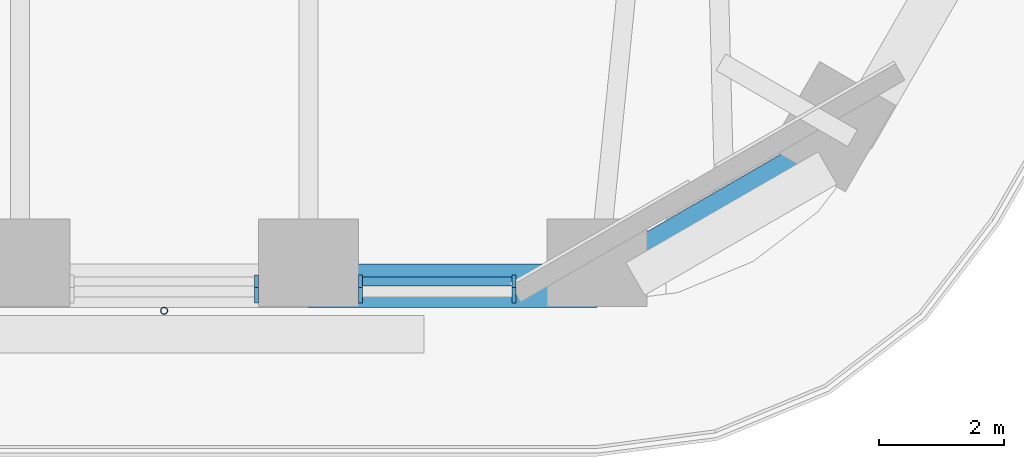
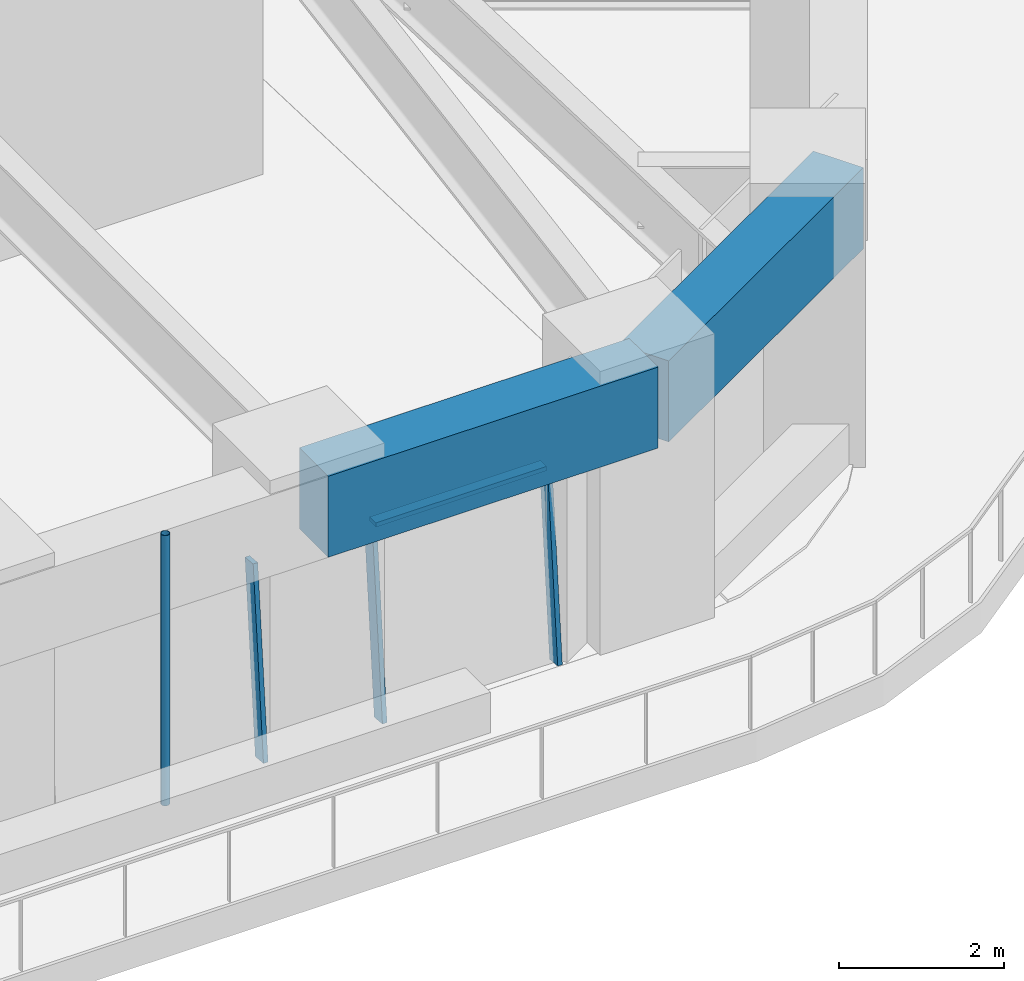
# One storey, part 4 of 20: 5 members, 2 beams, 2 elements without a shape of their own.
"""IFC4 building model written with IfcOpenShell, lengths in metres."""

import ifcopenshell
import ifcopenshell.guid

model = None  # the IFC model being written
_history = None  # IfcOwnerHistory: only IFC2X3 demands one
_inside = {}  # id of a spatial element -> (the spatial element, [elements in it])
_under = {}  # id of a project, library or spatial element -> (it, [spatial elements below it])
_declared = {}  # id of a project -> (the project, [libraries it declares])
_typed = {}  # id of a type object -> (the type object, [elements of that type])
_made_of = {}  # id of a material, layer set ... -> (it, [elements and type objects made of it])


def new_model(schema):
    """Start an empty IFC model of exactly this schema.

    Asked for "IFC4X3", IfcOpenShell would pick the latest addendum, in which some entities
    have other attributes; the version numbers below select the first issue.
    IFC2X3 requires an IfcOwnerHistory on every rooted entity: one is made here for all.
    """
    global model, _history
    if schema == "IFC4X3":
        model = ifcopenshell.file(schema_version=(4, 3, 0, 0))
    else:
        model = ifcopenshell.file(schema=schema)
    _inside.clear()
    _under.clear()
    _declared.clear()
    _typed.clear()
    _made_of.clear()
    _history = None
    if model.schema == "IFC2X3":
        org = make("IfcOrganization", Name="unknown")
        user = make(
            "IfcPersonAndOrganization",
            ThePerson=make("IfcPerson", FamilyName="unknown"),
            TheOrganization=org,
        )
        app = make(
            "IfcApplication",
            ApplicationDeveloper=org,
            Version="unknown",
            ApplicationFullName="unknown",
            ApplicationIdentifier="unknown",
        )
        _history = make(
            "IfcOwnerHistory",
            OwningUser=user,
            OwningApplication=app,
            ChangeAction="ADDED",
            CreationDate=0,
        )
    return model


def make(cls, **values):
    """One entity of the class cls with the attributes given. An attribute that is None is left unset."""
    return model.create_entity(
        cls, **{name: value for name, value in values.items() if value is not None}
    )


def rooted(cls, **values):
    """An entity with a GlobalId (a new one), such as an element, a storey or a relation."""
    return make(cls, GlobalId=ifcopenshell.guid.new(), OwnerHistory=_history, **values)


def si_unit(unit_type, name, prefix=None):
    """IfcSIUnit, for example si_unit("LENGTHUNIT", "METRE", prefix="MILLI")."""
    return make("IfcSIUnit", UnitType=unit_type, Prefix=prefix, Name=name)


def assignment(units):
    """IfcUnitAssignment: the units of a project."""
    return None if units is None else make("IfcUnitAssignment", Units=units)


def point(xyz):
    """IfcCartesianPoint."""
    return None if xyz is None else make("IfcCartesianPoint", Coordinates=xyz)


def direction(xyz):
    """IfcDirection."""
    return None if xyz is None else make("IfcDirection", DirectionRatios=xyz)


def frame(location, z_axis=None, x_axis=None):
    """IfcAxis2Placement3D, a coordinate frame: its origin and axes. An axis left out is left unset."""
    return make(
        "IfcAxis2Placement3D",
        Location=point(location),
        Axis=direction(z_axis),
        RefDirection=direction(x_axis),
    )


def frame_2d(location, x_axis=None):
    """IfcAxis2Placement2D, a coordinate frame in the plane: its origin and x axis."""
    return make(
        "IfcAxis2Placement2D", Location=point(location), RefDirection=direction(x_axis)
    )


def origin():
    """The frame at (0, 0, 0) with its axes left unset."""
    return frame((0.0, 0.0, 0.0))


def origin_2d():
    """The frame at (0, 0) in the plane with its x axis left unset."""
    return frame_2d((0.0, 0.0))


def place(relative_to, where):
    """IfcLocalPlacement: puts the frame where relative to a parent placement (None: the world)."""
    return make(
        "IfcLocalPlacement", PlacementRelTo=relative_to, RelativePlacement=where
    )


def context(
    kind, dimensions, precision=None, world=None, true_north=None, identifier=None
):
    """IfcGeometricRepresentationContext, for example the 3D "Model" context."""
    return make(
        "IfcGeometricRepresentationContext",
        ContextIdentifier=identifier,
        ContextType=kind,
        CoordinateSpaceDimension=dimensions,
        Precision=precision,
        WorldCoordinateSystem=world,
        TrueNorth=true_north,
    )


def subcontext(parent, identifier, kind, view, scale=None):
    """IfcGeometricRepresentationSubContext, for example "Body" below "Model"."""
    return make(
        "IfcGeometricRepresentationSubContext",
        ContextIdentifier=identifier,
        ContextType=kind,
        ParentContext=parent,
        TargetScale=scale,
        TargetView=view,
    )


def project(units=None, contexts=None):
    """IfcProject with its units and contexts."""
    return rooted(
        "IfcProject",
        Name="project",
        RepresentationContexts=contexts,
        UnitsInContext=assignment(units),
    )


def spatial(cls, under=None, at=None, **own):
    """A site, building, storey or space (cls), placed at a placement, below another one or the project."""
    s = rooted(cls, ObjectPlacement=at, **own)
    if under is not None:
        _under.setdefault(under.id(), (under, []))[1].append(s)
    return s


def profile(cls, at=None, kind="AREA", **sizes):
    """A parametric profile (cls). Its sizes go by their IFC names, for example OverallWidth=200.0."""
    return make(cls, ProfileType=kind, Position=at, **sizes)


def rectangle(**sizes):
    """IfcRectangleProfileDef."""
    return profile("IfcRectangleProfileDef", **sizes)


def hollow_circle(**sizes):
    """IfcCircleHollowProfileDef."""
    return profile("IfcCircleHollowProfileDef", **sizes)


def extrude(swept, where, along, depth):
    """IfcExtrudedAreaSolid: the profile swept, set in the frame where, extruded along a direction by depth."""
    return make(
        "IfcExtrudedAreaSolid",
        SweptArea=swept,
        Position=where,
        ExtrudedDirection=direction(along),
        Depth=depth,
    )


def shape(context_of_items, identifier, shape_type, items):
    """IfcShapeRepresentation: the items that make up one representation, for example the "Body"."""
    return make(
        "IfcShapeRepresentation",
        ContextOfItems=context_of_items,
        RepresentationIdentifier=identifier,
        RepresentationType=shape_type,
        Items=items,
    )


def material(Name=None, Category=None):
    """IfcMaterial."""
    return make("IfcMaterial", Name=Name, Category=Category)


def material_profile(
    of_material, cross_section, Name=None, Category=None, Priority=None
):
    """IfcMaterialProfile: a cross section and its material."""
    return make(
        "IfcMaterialProfile",
        Name=Name,
        Material=of_material,
        Profile=cross_section,
        Priority=Priority,
        Category=Category,
    )


def profile_set(profiles, Name=None, composite=None):
    """IfcMaterialProfileSet."""
    return make(
        "IfcMaterialProfileSet",
        Name=Name,
        MaterialProfiles=profiles,
        CompositeProfile=composite,
    )


def made_of(thing, what):
    """Note that an element or type object is made of a material, layer set ...; save() writes the relation."""
    if what is not None:
        _made_of.setdefault(what.id(), (what, []))[1].append(thing)
    return thing


def type_object(cls, material=None, **own):
    """A type object (cls), such as IfcWallType, which elements share."""
    return made_of(rooted(cls, **own), material)


def element(
    cls,
    number,
    at=None,
    inside=None,
    cuts=None,
    type_object=None,
    material=None,
    context=None,
    identifier="Body",
    shape_type=None,
    held_by="IfcProductDefinitionShape",
    body=None,
    shapes=None,
    **own,
):
    """One element of the class cls, such as IfcWall. Its Tag is "e" and its number.

    at: its placement. inside: the storey or other place that contains it. cuts: it is an
    opening in that element (IfcRelVoidsElement). A single representation is given by context,
    identifier, shape_type and body (its items); several are given by shapes. held_by: the class
    of the entity that holds the representations. save() writes the other relations.
    """
    e = rooted(cls, Tag="e%d" % number, ObjectPlacement=at, **own)
    if body is not None:
        shapes = [shape(context, identifier, shape_type, body)]
    if shapes is not None:
        e.Representation = make(held_by, Representations=shapes)
    if inside is not None:
        _inside.setdefault(inside.id(), (inside, []))[1].append(e)
    if cuts is not None:
        rooted(
            "IfcRelVoidsElement", RelatingBuildingElement=cuts, RelatedOpeningElement=e
        )
    if type_object is not None:
        _typed.setdefault(type_object.id(), (type_object, []))[1].append(e)
    return made_of(e, material)


def aggregate(whole, parts):
    """IfcRelAggregates: a whole, such as a stair, and the parts it consists of."""
    return rooted("IfcRelAggregates", RelatingObject=whole, RelatedObjects=parts)


def save(model, path):
    """Write the relations noted so far, then the file.

    IfcRelAggregates (storeys below a building ...), IfcRelContainedInSpatialStructure (elements
    in a storey), IfcRelDefinesByType, IfcRelAssociatesMaterial and IfcRelDeclares: one each for
    every whole, place, type object, material and project.
    """
    for whole, parts in _under.values():
        aggregate(whole, parts)
    for where, things in _inside.values():
        rooted(
            "IfcRelContainedInSpatialStructure",
            RelatedElements=things,
            RelatingStructure=where,
        )
    for kind, things in _typed.values():
        rooted("IfcRelDefinesByType", RelatedObjects=things, RelatingType=kind)
    for what, things in _made_of.values():
        rooted("IfcRelAssociatesMaterial", RelatedObjects=things, RelatingMaterial=what)
    for by, libraries in _declared.values():
        rooted("IfcRelDeclares", RelatingContext=by, RelatedDefinitions=libraries)
    model.write(path)


model = new_model("IFC4")

# Units and contexts
model_context = context("Model", 3, precision=1e-05, world=origin(), true_north=direction((0.0, 1.0)))
body_context = subcontext(model_context, "Body", "Model", "MODEL_VIEW")
ifc_project = project(units=[si_unit("LENGTHUNIT", "METRE"), si_unit("AREAUNIT", "SQUARE_METRE"), si_unit("VOLUMEUNIT", "CUBIC_METRE"), si_unit("PLANEANGLEUNIT", "RADIAN"), si_unit("MASSUNIT", "GRAM", prefix="KILO")], contexts=[model_context])

# Site, building, storey
site_placement = place(None, origin())
site = spatial("IfcSite", under=ifc_project, at=site_placement, CompositionType="ELEMENT")
building_placement = place(site_placement, origin())
building = spatial("IfcBuilding", under=site, at=building_placement, Name="Tarfa Lantern Tower", CompositionType="ELEMENT")
storey_placement = place(building_placement, frame((0.0, 0.0, 232.300048828125)))
storey = spatial("IfcBuildingStorey", under=building, at=storey_placement, Name="L52", CompositionType="ELEMENT", Elevation=232.300048828125)

# Curtain wall, member
ifc_material_1 = material(Name="Aluminium framed curtain wall", Category="aluminium")
curtain_wall_type = type_object("IfcCurtainWallType", Name="CW3 CANTED GLAZING HIGH ZONE 2800", PredefinedType="USERDEFINED", material=ifc_material_1)
curtain_wall_1_placement = place(storey_placement, origin())
curtain_wall_1 = element("IfcCurtainWall", 1, at=curtain_wall_1_placement, inside=storey, type_object=curtain_wall_type, Name="CW3 S L52", ObjectType="CURTAIN WALL", PredefinedType="USERDEFINED")
ifc_material_2 = material(Name="Aluminium mullion", Category="aluminium")
ifc_material_profile_1 = material_profile(ifc_material_2, rectangle(XDim=0.06494140625, YDim=0.199951171875, at=origin_2d()), Name="AL MULLION 65x200")
ifc_profile_set_1 = profile_set([ifc_material_profile_1], Name="Aluminium mullion")
member_type_1 = type_object("IfcMemberType", Name="CWM1 MULLION 65x200", PredefinedType="MULLION", material=ifc_profile_set_1)
member_1_placement = place(storey_placement, frame((8.405029296875, -28.89990234375, 0.0), z_axis=(0.0, 0.088930399417, 0.996037842685), x_axis=(-1.0, 0.0, 0.0)))
member_1 = element("IfcMember", 2, at=member_1_placement, type_object=member_type_1, Name="CW3 mullion 2", PredefinedType="MULLION", context=body_context, shape_type="SweptSolid", body=[
    extrude(rectangle(XDim=0.06494140625, YDim=0.199951171875, at=origin_2d()), origin(), (0.0, 0.0, 1.0), 2.811279296875),
])
aggregate(curtain_wall_1, [member_1])

# Curtain wall, members
curtain_wall_2_placement = place(storey_placement, origin())
curtain_wall_2 = element("IfcCurtainWall", 3, at=curtain_wall_2_placement, inside=storey, type_object=curtain_wall_type, Name="CW3 S L52", ObjectType="CURTAIN WALL", PredefinedType="USERDEFINED")
member_2_placement = place(storey_placement, frame((10.070068359375, -28.89990234375, 0.0), z_axis=(0.0, 0.088930399417, 0.996037842685), x_axis=(-1.0, 0.0, 0.0)))
member_2 = element("IfcMember", 4, at=member_2_placement, type_object=member_type_1, Name="CW3 mullion 1", PredefinedType="MULLION", context=body_context, shape_type="SweptSolid", body=[
    extrude(rectangle(XDim=0.06494140625, YDim=0.199951171875, at=origin_2d()), origin(), (0.0, 0.0, 1.0), 2.811279296875),
])
member_3_placement = place(storey_placement, frame((12.52392578125, -28.89990234375, 0.0), z_axis=(0.0, 0.088930399417, 0.996037842685), x_axis=(-1.0, 0.0, 0.0)))
member_3 = element("IfcMember", 5, at=member_3_placement, type_object=member_type_1, Name="CW3 mullion 2", PredefinedType="MULLION", context=body_context, shape_type="SweptSolid", body=[
    extrude(rectangle(XDim=0.06494140625, YDim=0.199951171875, at=origin_2d()), origin(), (0.0, 0.0, 1.0), 2.811279296875),
])
ifc_material_3 = material(Name="Aluminium transom", Category="aluminium")
ifc_material_profile_2 = material_profile(ifc_material_3, rectangle(XDim=0.14990234375, YDim=0.06494140625, at=origin_2d()), Name="AL TRANSOM 150x65")
ifc_profile_set_2 = profile_set([ifc_material_profile_2], Name="Aluminium transom")
member_type_2 = type_object("IfcMemberType", Name="CWT1 TRANSOM 150x65", PredefinedType="USERDEFINED", material=ifc_profile_set_2)
member_4_placement = place(storey_placement, frame((10.1025390625, -28.65283203125, 2.767333984375), z_axis=(1.0, 0.0, 0.0), x_axis=(0.0, 1.0, 0.0)))
member_4 = element("IfcMember", 6, at=member_4_placement, type_object=member_type_2, Name="CW3 transom 1.2", ObjectType="TRANSOM", PredefinedType="USERDEFINED", context=body_context, shape_type="SweptSolid", body=[
    extrude(rectangle(XDim=0.14990234375, YDim=0.06494140625, at=origin_2d()), origin(), (0.0, 0.0, 1.0), 2.388916015625),
])
aggregate(curtain_wall_2, [member_2, member_3, member_4])

# Beams
ifc_material_4 = material(Name="Concrete C80/95", Category="concrete")
ifc_material_profile_3 = material_profile(ifc_material_4, rectangle(XDim=0.699951171875, YDim=1.199951171875, at=origin_2d()), Name="RC 700x1200")
ifc_profile_set_3 = profile_set([ifc_material_profile_3], Name="Concrete C80/95")
beam_type = type_object("IfcBeamType", Name="EB3 RC 700x1200", PredefinedType="SPANDREL", material=ifc_profile_set_3)
beam_1_placement = place(storey_placement, frame((9.237548828125, -28.719970703125, 3.39990234375), z_axis=(1.0, 0.0, 0.0), x_axis=(0.0, 1.0, 0.0)))
element("IfcBeam", 7, at=beam_1_placement, inside=storey, type_object=beam_type, Name="Edge beam S5", PredefinedType="SPANDREL", context=body_context, shape_type="SweptSolid", body=[
    extrude(rectangle(XDim=0.699951171875, YDim=1.199951171875, at=origin_2d()), origin(), (0.0, 0.0, 1.0), 4.618896484375),
])
beam_2_placement = place(storey_placement, frame((13.8564453125, -28.719970703125, 3.39990234375), z_axis=(0.866038294681, 0.499977671647, 0.0), x_axis=(-0.499977671647, 0.866038294681, 0.0)))
element("IfcBeam", 8, at=beam_2_placement, inside=storey, type_object=beam_type, Name="Edge beam S6", PredefinedType="SPANDREL", context=body_context, shape_type="SweptSolid", body=[
    extrude(rectangle(XDim=0.699951171875, YDim=1.199951171875, at=origin_2d()), origin(), (0.0, 0.0, 1.0), 4.719970703125),
])

# Member
ifc_material_5 = material(Name="Steel S355", Category="steel")
ifc_material_profile_4 = material_profile(ifc_material_5, hollow_circle(Radius=0.05712890625, WallThickness=0.00634765625, at=origin_2d()), Name="CHS114.3x6.3")
ifc_profile_set_4 = profile_set([ifc_material_profile_4], Name="Steel S355")
member_type_3 = type_object("IfcMemberType", Name="TR1 GREEN WALL TRELLIS CHS114.3x6.3", PredefinedType="USERDEFINED", material=ifc_profile_set_4)
member_5_placement = place(storey_placement, frame((6.92822265625, -29.1201171875, 0.0), z_axis=(0.0, 0.0, 1.0), x_axis=(1.0, 0.0, 0.0)))
element("IfcMember", 9, at=member_5_placement, inside=storey, type_object=member_type_3, Name="Trellis post S 2", ObjectType="TRELLIS", PredefinedType="USERDEFINED", context=body_context, shape_type="SweptSolid", body=[
    extrude(hollow_circle(Radius=0.05712890625, WallThickness=0.00634765625, at=origin_2d()), origin(), (0.0, 0.0, 1.0), 4.0),
])

save(model, "model.ifc")
